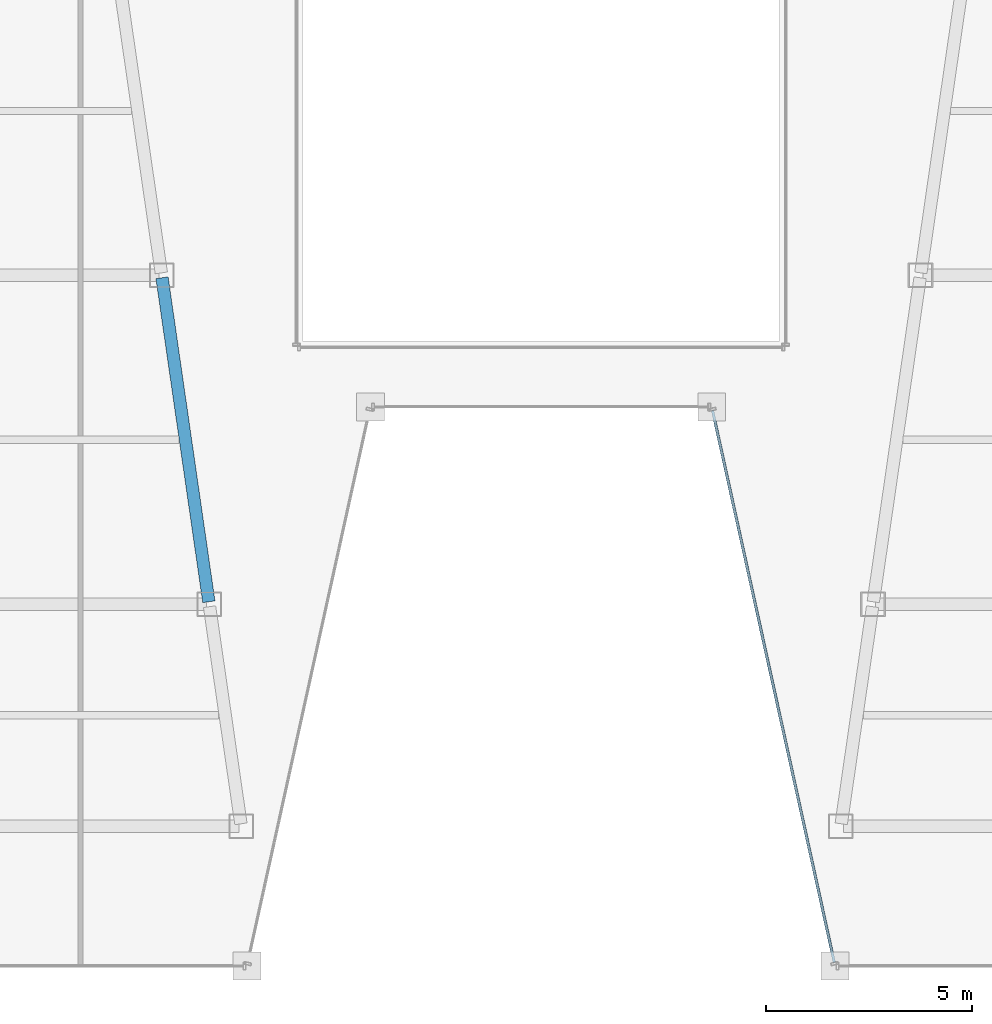
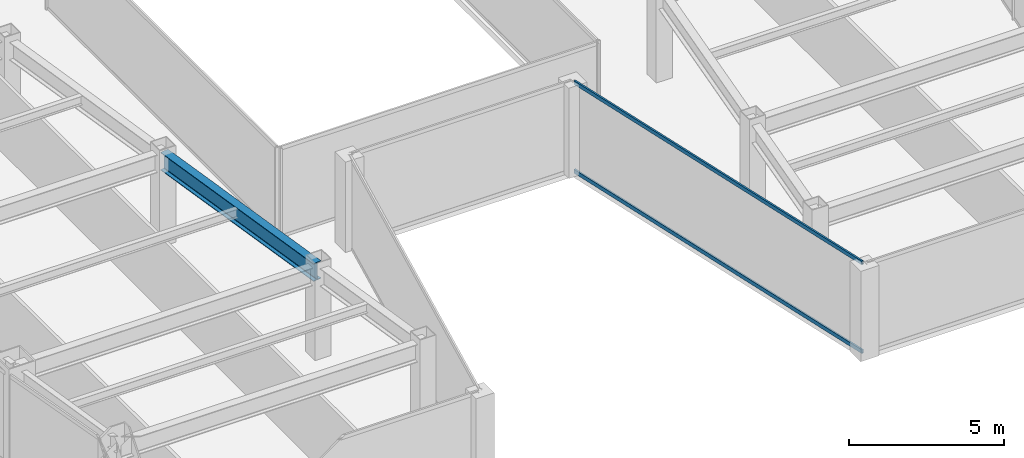
# One storey, part 6 of 37: 2 members, 1 beam, 1 element without a shape of its own.
"""IFC4 building model written with IfcOpenShell, lengths in metres."""

from ifc_helpers import new_model, si_unit, direction, frame, origin, origin_2d, place, context, subcontext, project, spatial, hollow_rectangle, i_section, extrude, material, material_profile, profile_set, type_object, element, aggregate, save


model = new_model("IFC4")

# Units and contexts
model_context = context("Model", 3, precision=1e-05, world=origin(), true_north=direction((0.0, 1.0)))
body_context = subcontext(model_context, "Body", "Model", "MODEL_VIEW")
ifc_project = project(units=[si_unit("LENGTHUNIT", "METRE"), si_unit("AREAUNIT", "SQUARE_METRE"), si_unit("VOLUMEUNIT", "CUBIC_METRE"), si_unit("PLANEANGLEUNIT", "RADIAN"), si_unit("MASSUNIT", "GRAM", prefix="KILO")], contexts=[model_context])

# Site, building, storey
site_placement = place(None, origin())
site = spatial("IfcSite", under=ifc_project, at=site_placement, CompositionType="ELEMENT")
building_placement = place(site_placement, origin())
building = spatial("IfcBuilding", under=site, at=building_placement, Name="Saevonmaru Cultural Tower", CompositionType="ELEMENT")
storey_placement = place(building_placement, frame((0.0, 0.0, 160.0)))
storey = spatial("IfcBuildingStorey", under=building, at=storey_placement, Name="L35", CompositionType="ELEMENT", Elevation=160.0)

# Beam
ifc_material_1 = material(Name="Steel SM355", Category="steel")
ifc_material_profile_1 = material_profile(ifc_material_1, i_section(OverallWidth=0.300048828125, OverallDepth=0.699951171875, WebThickness=0.012939453125, FlangeThickness=0.02392578125, FilletRadius=0.02587890625, at=origin_2d()), Name="H-700x300x13x24")
ifc_profile_set_1 = profile_set([ifc_material_profile_1], Name="Steel SM355")
beam_type = type_object("IfcBeamType", Name="BM-G-H700", PredefinedType="BEAM", material=ifc_profile_set_1)
beam_placement = place(storey_placement, frame((21.91943359375, 16.059326171875, 3.199951171875), z_axis=(-0.143022161059, 0.989719486241, 0.0), x_axis=(-0.989719486241, -0.143022161059, 0.0)))
element("IfcBeam", 1, at=beam_placement, inside=storey, type_object=beam_type, Name="L35 West Atrium Girder 2", PredefinedType="BEAM", context=body_context, shape_type="SweptSolid", body=[
    extrude(i_section(OverallWidth=0.300048828125, OverallDepth=0.699951171875, WebThickness=0.012939453125, FlangeThickness=0.02392578125, FilletRadius=0.02587890625, at=origin_2d()), origin(), (0.0, 0.0, 1.0), 7.963134765625),
])

# Curtain wall, members
ifc_material_2 = material(Name="Satin Bronze Anodised Aluminium", Category="aluminium")
curtain_wall_type = type_object("IfcCurtainWallType", Name="CW-TYP-A", PredefinedType="NOTDEFINED", material=ifc_material_2)
curtain_wall_placement = place(storey_placement, origin())
curtain_wall = element("IfcCurtainWall", 2, at=curtain_wall_placement, inside=storey, type_object=curtain_wall_type, Name="L35 Unitised Curtain Wall E5", PredefinedType="NOTDEFINED")
ifc_material_profile_2 = material_profile(ifc_material_2, hollow_rectangle(XDim=0.06494140625, YDim=0.14990234375, WallThickness=0.00390625, at=origin_2d()), Name="ALU-TRAN-150x65x4")
ifc_profile_set_2 = profile_set([ifc_material_profile_2], Name="Satin Bronze Anodised Aluminium")
member_type = type_object("IfcMemberType", Name="TR-CW-150x65", PredefinedType="USERDEFINED", material=ifc_profile_set_2)
member_1_placement = place(storey_placement, frame((34.1708984375, 20.709716796875, 0.032470703125), z_axis=(0.21541214732, -0.976523223885, 0.0), x_axis=(0.976523223885, 0.21541214732, 0.0)))
member_1 = element("IfcMember", 3, at=member_1_placement, type_object=member_type, Name="CW-TW-L35-E5 transom 1.1", ObjectType="TRANSOM", PredefinedType="USERDEFINED", context=body_context, shape_type="SweptSolid", body=[
    extrude(hollow_rectangle(XDim=0.06494140625, YDim=0.14990234375, WallThickness=0.00390625, at=origin_2d()), origin(), (0.0, 0.0, 1.0), 13.741943359375),
])
member_2_placement = place(storey_placement, frame((34.1708984375, 20.709716796875, 3.517578125), z_axis=(0.21541214732, -0.976523223885, 0.0), x_axis=(0.976523223885, 0.21541214732, 0.0)))
member_2 = element("IfcMember", 4, at=member_2_placement, type_object=member_type, Name="CW-TW-L35-E5 transom 1.2", ObjectType="TRANSOM", PredefinedType="USERDEFINED", context=body_context, shape_type="SweptSolid", body=[
    extrude(hollow_rectangle(XDim=0.06494140625, YDim=0.14990234375, WallThickness=0.00390625, at=origin_2d()), origin(), (0.0, 0.0, 1.0), 13.741943359375),
])
aggregate(curtain_wall, [member_1, member_2])

save(model, "model.ifc")
